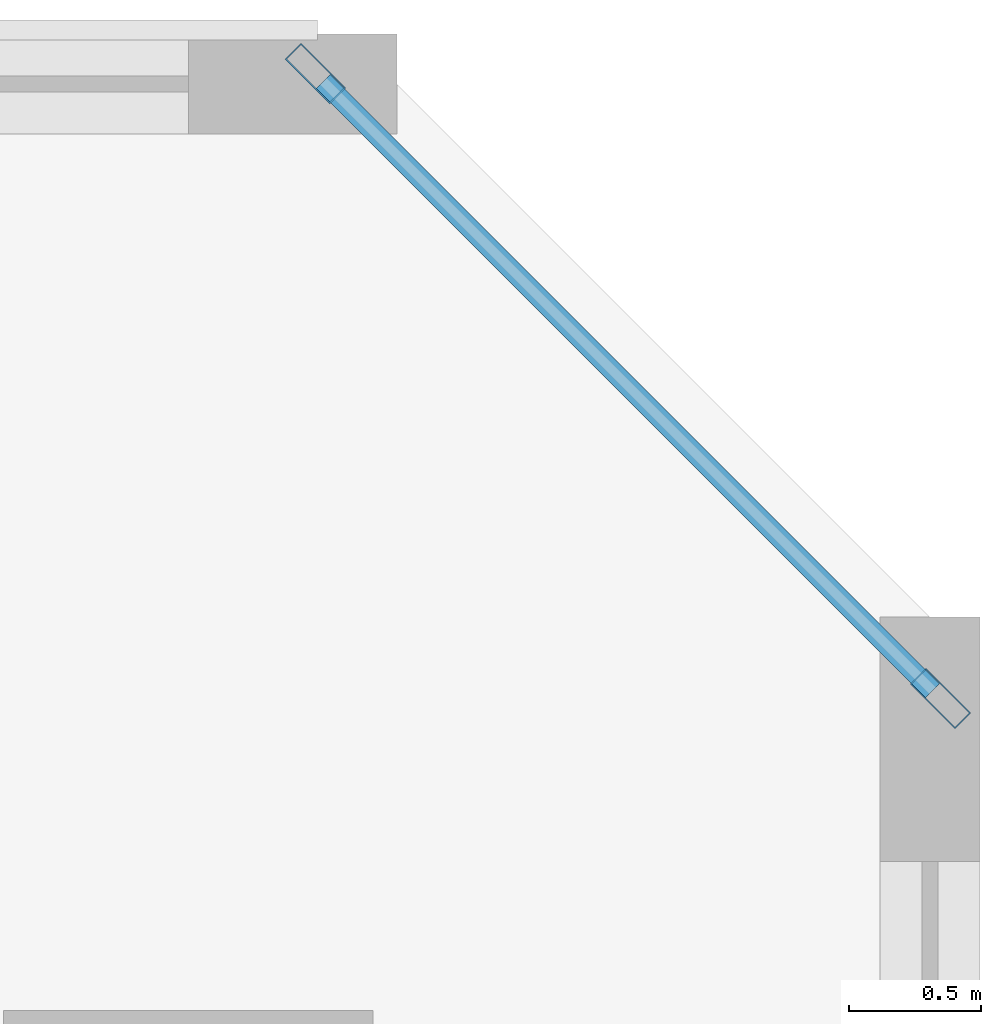
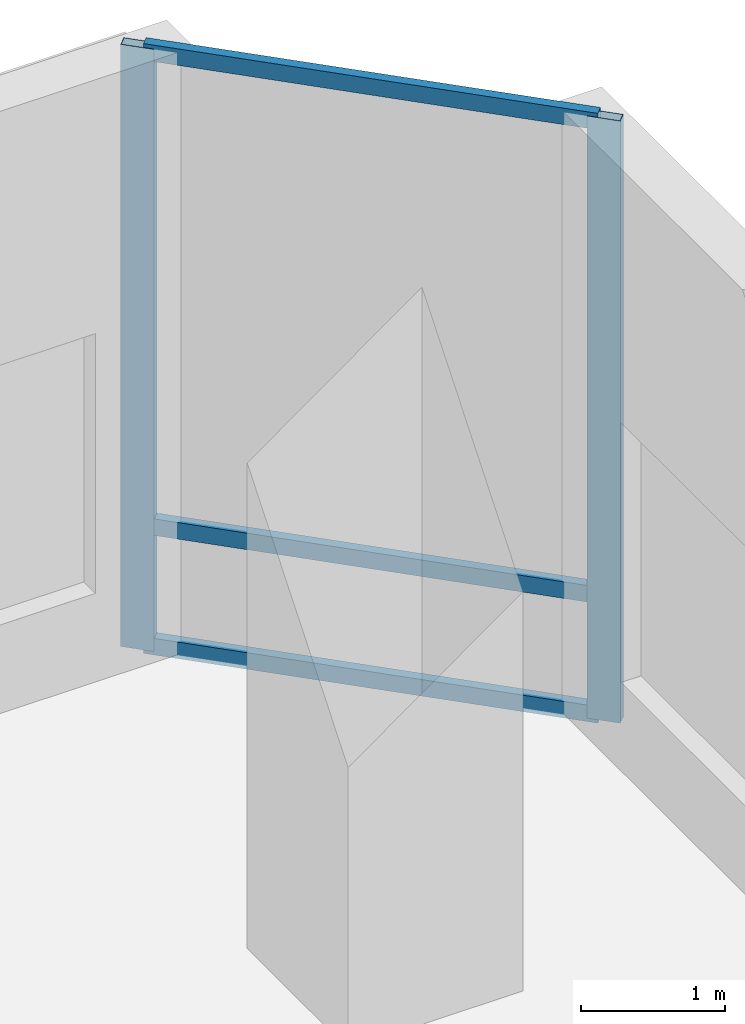
# One storey, part 8 of 21: 5 members, 1 element without a shape of its own.
"""IFC4 building model written with IfcOpenShell, lengths in metres."""

from ifc_helpers import new_model, si_unit, direction, frame, origin, origin_2d, place, context, subcontext, project, spatial, hollow_rectangle, extrude, material, layer, layer_set, material_profile, profile_set, type_object, element, aggregate, save


model = new_model("IFC4")

# Units and contexts
model_context = context("Model", 3, precision=1e-05, world=origin(), true_north=direction((0.0, 1.0)))
body_context = subcontext(model_context, "Body", "Model", "MODEL_VIEW")
ifc_project = project(units=[si_unit("LENGTHUNIT", "METRE"), si_unit("AREAUNIT", "SQUARE_METRE"), si_unit("VOLUMEUNIT", "CUBIC_METRE"), si_unit("PLANEANGLEUNIT", "RADIAN"), si_unit("MASSUNIT", "GRAM", prefix="KILO")], contexts=[model_context])

# Site, building, storey
site_placement = place(None, origin())
site = spatial("IfcSite", under=ifc_project, at=site_placement, CompositionType="ELEMENT")
building_placement = place(site_placement, origin())
building = spatial("IfcBuilding", under=site, at=building_placement, Name="Kestravale Grand Hotel", CompositionType="ELEMENT")
storey_placement = place(building_placement, frame((0.0, 0.0, 10.39990234375)))
storey = spatial("IfcBuildingStorey", under=building, at=storey_placement, Name="L02", CompositionType="ELEMENT", Elevation=10.39990234375)

# Curtain wall, members
ifc_material_1 = material(Name="Thermally broken champagne-bronze aluminium and low-E glazing", Category="aluminium")
ifc_layer = layer(ifc_material_1, 0.239990234375)
ifc_layer_set = layer_set([ifc_layer], Name="CW-POD")
curtain_wall_type = type_object("IfcCurtainWallType", Name="CW-POD", PredefinedType="NOTDEFINED", material=ifc_layer_set)
curtain_wall_placement = place(storey_placement, origin())
curtain_wall = element("IfcCurtainWall", 1, at=curtain_wall_placement, inside=storey, type_object=curtain_wall_type, Name="L02 unitised curtain wall 4", PredefinedType="NOTDEFINED")
ifc_material_2 = material(Name="Aluminium 6063-T6 anodised", Category="aluminium")
ifc_material_profile_1 = material_profile(ifc_material_2, hollow_rectangle(XDim=0.0849609375, YDim=0.239990234375, WallThickness=0.00439453125, at=origin_2d()))
ifc_profile_set_1 = profile_set([ifc_material_profile_1], Name="Aluminium 6063-T6 anodised")
member_type_1 = type_object("IfcMemberType", Name="CW-MUL-240", PredefinedType="MULLION", material=ifc_profile_set_1)
member_1_placement = place(storey_placement, frame((80.849853515625, 49.08154296875, 0.0), z_axis=(0.0, 0.0, 1.0), x_axis=(-0.707106781187, -0.707106781187, 0.0)))
member_1 = element("IfcMember", 2, at=member_1_placement, type_object=member_type_1, Name="CW-POD mullion 1", PredefinedType="MULLION", context=body_context, shape_type="SweptSolid", body=[
    extrude(hollow_rectangle(XDim=0.0849609375, YDim=0.239990234375, WallThickness=0.00439453125, at=origin_2d()), origin(), (0.0, 0.0, 1.0), 5.10009765625),
])
member_2_placement = place(storey_placement, frame((78.4814453125, 51.44970703125, 0.0), z_axis=(0.0, 0.0, 1.0), x_axis=(-0.707106781187, -0.707106781187, 0.0)))
member_2 = element("IfcMember", 3, at=member_2_placement, type_object=member_type_1, Name="CW-POD mullion 2", PredefinedType="MULLION", context=body_context, shape_type="SweptSolid", body=[
    extrude(hollow_rectangle(XDim=0.0849609375, YDim=0.239990234375, WallThickness=0.00439453125, at=origin_2d()), origin(), (0.0, 0.0, 1.0), 5.10009765625),
])
ifc_material_3 = material(Name="Aluminium 6063-T6 anodised", Category="aluminium")
ifc_material_profile_2 = material_profile(ifc_material_3, hollow_rectangle(XDim=0.074951171875, YDim=0.139892578125, WallThickness=0.00341796875, at=origin_2d()))
ifc_profile_set_2 = profile_set([ifc_material_profile_2], Name="Aluminium 6063-T6 anodised")
member_type_2 = type_object("IfcMemberType", Name="CW-TRN-140", PredefinedType="USERDEFINED", material=ifc_profile_set_2)
member_3_placement = place(storey_placement, frame((80.819580078125, 49.111572265625, 0.03759765625), z_axis=(-0.707069380992, 0.707144179403, 0.0), x_axis=(-0.707144179403, -0.707069380992, 0.0)))
member_3 = element("IfcMember", 4, at=member_3_placement, type_object=member_type_2, Name="CW-POD transom 1.1", ObjectType="TRANSOM", PredefinedType="USERDEFINED", context=body_context, shape_type="SweptSolid", body=[
    extrude(hollow_rectangle(XDim=0.074951171875, YDim=0.139892578125, WallThickness=0.00341796875, at=origin_2d()), origin(), (0.0, 0.0, 1.0), 3.263916015625),
])
member_4_placement = place(storey_placement, frame((80.819580078125, 49.111572265625, 1.050048828125), z_axis=(-0.707069380992, 0.707144179403, 0.0), x_axis=(-0.707144179403, -0.707069380992, 0.0)))
member_4 = element("IfcMember", 5, at=member_4_placement, type_object=member_type_2, Name="CW-POD transom 1.2", ObjectType="TRANSOM", PredefinedType="USERDEFINED", context=body_context, shape_type="SweptSolid", body=[
    extrude(hollow_rectangle(XDim=0.074951171875, YDim=0.139892578125, WallThickness=0.00341796875, at=origin_2d()), origin(), (0.0, 0.0, 1.0), 3.263916015625),
])
member_5_placement = place(storey_placement, frame((80.819580078125, 49.111572265625, 5.0625), z_axis=(-0.707069380992, 0.707144179403, 0.0), x_axis=(-0.707144179403, -0.707069380992, 0.0)))
member_5 = element("IfcMember", 6, at=member_5_placement, type_object=member_type_2, Name="CW-POD transom 1.3", ObjectType="TRANSOM", PredefinedType="USERDEFINED", context=body_context, shape_type="SweptSolid", body=[
    extrude(hollow_rectangle(XDim=0.074951171875, YDim=0.139892578125, WallThickness=0.00341796875, at=origin_2d()), origin(), (0.0, 0.0, 1.0), 3.263916015625),
])
aggregate(curtain_wall, [member_1, member_2, member_3, member_4, member_5])

save(model, "model.ifc")
